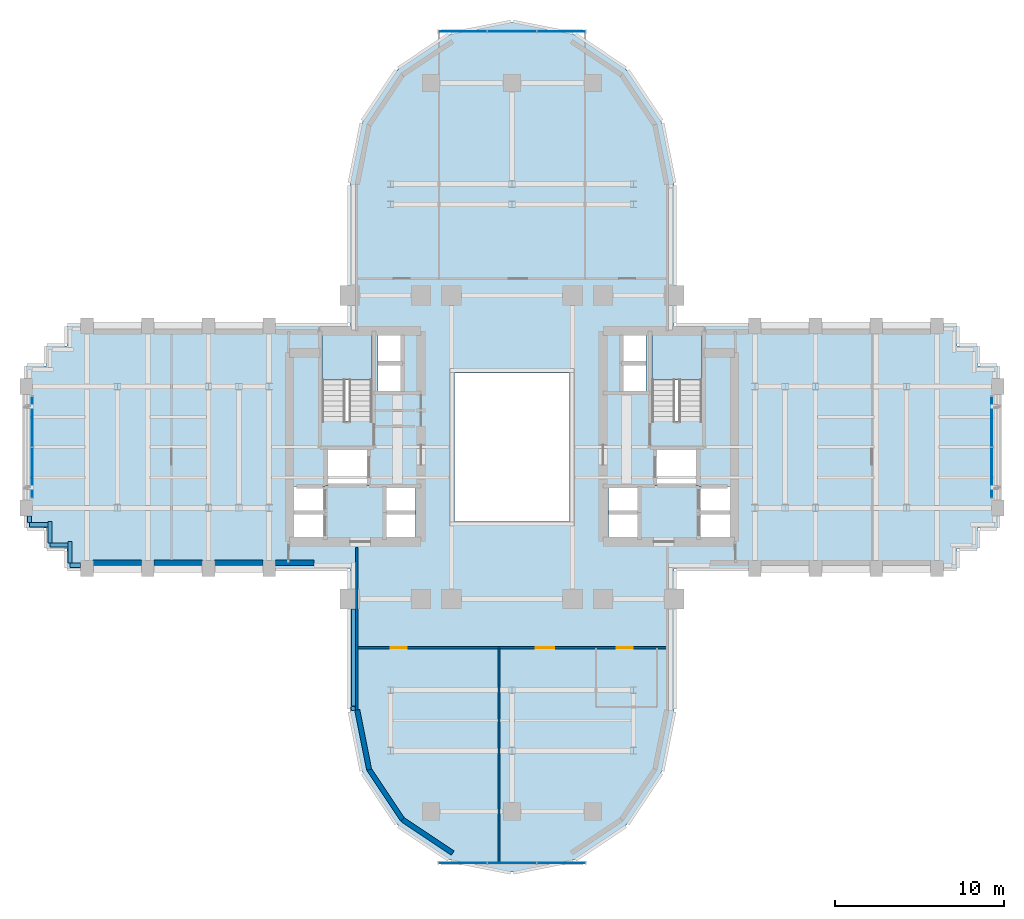
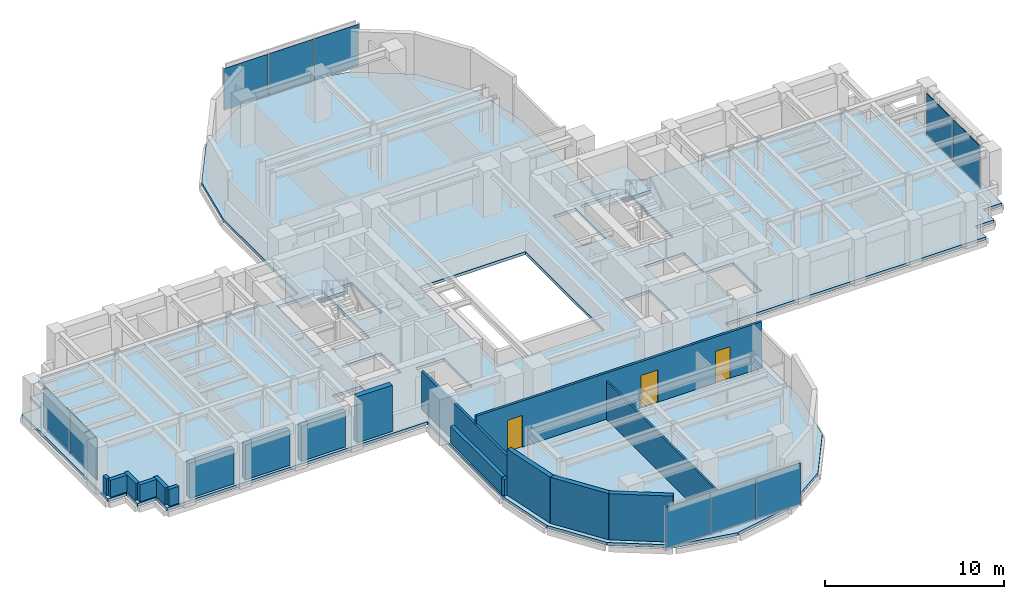
# One storey, part 9 of 16: 18 walls, 10 plates, 3 doors, 3 slabs, 3 openings, 6 elements without a shape of their own.
"""IFC4 building model written with IfcOpenShell, lengths in metres."""

from ifc_helpers import new_model, si_unit, direction, frame, frame_2d, origin, origin_2d, place, context, subcontext, project, spatial, polyline, rectangle, outline, extrude, source, transform, mapped, material, layer, layer_set, type_object, element, fill, aggregate, save


model = new_model("IFC4")

# Units and contexts
model_context = context("Model", 3, precision=1e-05, world=origin(), true_north=direction((0.0, 1.0)))
body_context = subcontext(model_context, "Body", "Model", "MODEL_VIEW")
ifc_project = project(units=[si_unit("LENGTHUNIT", "METRE"), si_unit("AREAUNIT", "SQUARE_METRE"), si_unit("VOLUMEUNIT", "CUBIC_METRE"), si_unit("PLANEANGLEUNIT", "RADIAN"), si_unit("MASSUNIT", "GRAM", prefix="KILO")], contexts=[model_context])

# Site, building, storey
site_placement = place(None, origin())
site = spatial("IfcSite", under=ifc_project, at=site_placement, CompositionType="ELEMENT")
building_placement = place(site_placement, origin())
building = spatial("IfcBuilding", under=site, at=building_placement, Name="Keilestroom Media Tower", CompositionType="ELEMENT")
storey_placement = place(building_placement, frame((0.0, 0.0, 85.0)))
storey = spatial("IfcBuildingStorey", under=building, at=storey_placement, Name="L22", CompositionType="ELEMENT", Elevation=85.0)

# Slab
ifc_material_1 = material(Name="Concrete C50/60", Category="concrete")
ifc_layer_1 = layer(ifc_material_1, 0.199951171875)
ifc_layer_set_1 = layer_set([ifc_layer_1], Name="Concrete C50/60")
slab_type_1 = type_object("IfcSlabType", Name="Composite-Floor-Slab-200", PredefinedType="FLOOR", material=ifc_layer_set_1)
slab_1_placement = place(storey_placement, frame((0.0, 0.0, -0.199951171875)))
element("IfcSlab", 1, at=slab_1_placement, inside=storey, type_object=slab_type_1, Name="L22 Structural Composite Floor Slab", PredefinedType="FLOOR", context=body_context, shape_type="SweptSolid", body=[
    extrude(outline(polyline([(28.800048828125, -4.800048828125), (28.800048828125, 4.800048828125), (27.60009765625, 4.800048828125), (27.60009765625, 6.0), (26.39990234375, 6.0), (26.39990234375, 7.199951171875), (9.60009765625, 7.199951171875), (9.60009765625, 9.60009765625), (9.60009765625, 15.60009765625), (8.869140625, 19.273681640625), (6.7880859375, 22.38818359375), (3.673828125, 24.46923828125), (0.0, 25.199951171875), (-3.673828125, 24.46923828125), (-6.7880859375, 22.38818359375), (-8.869140625, 19.273681640625), (-9.60009765625, 15.60009765625), (-9.60009765625, 9.60009765625), (-9.60009765625, 7.199951171875), (-26.39990234375, 7.199951171875), (-26.39990234375, 6.0), (-27.60009765625, 6.0), (-27.60009765625, 4.800048828125), (-28.800048828125, 4.800048828125), (-28.800048828125, -4.800048828125), (-27.60009765625, -4.800048828125), (-27.60009765625, -6.0), (-26.39990234375, -6.0), (-26.39990234375, -7.199951171875), (-9.60009765625, -7.199951171875), (-9.60009765625, -9.60009765625), (-9.60009765625, -15.60009765625), (-8.869140625, -19.273681640625), (-6.7880859375, -22.38818359375), (-3.673828125, -24.46923828125), (0.0, -25.199951171875), (3.673828125, -24.46923828125), (6.7880859375, -22.38818359375), (8.869140625, -19.273681640625), (9.60009765625, -15.60009765625), (9.60009765625, -9.60009765625), (9.60009765625, -7.199951171875), (26.39990234375, -7.199951171875), (26.39990234375, -6.0), (27.60009765625, -6.0), (27.60009765625, -4.800048828125), (28.800048828125, -4.800048828125)]), holes=[polyline([(-12.919921875, -5.47998046875), (-12.919921875, -2.320068359375), (-11.080078125, -2.320068359375), (-11.080078125, -5.47998046875), (-12.919921875, -5.47998046875)]), polyline([(-11.260009765625, 1.544921875), (-11.260009765625, 6.760009765625), (-8.300048828125, 6.760009765625), (-8.300048828125, 1.544921875), (-11.260009765625, 1.544921875)]), polyline([(-11.050048828125, -2.280029296875), (-11.050048828125, -0.10009765625), (-8.47998046875, -0.10009765625), (-8.47998046875, -2.280029296875), (-11.050048828125, -2.280029296875)]), polyline([(-7.949951171875, 3.300048828125), (-7.949951171875, 6.64990234375), (-6.47998046875, 6.64990234375), (-6.47998046875, 3.300048828125), (-7.949951171875, 3.300048828125)]), polyline([(-7.56005859375, -5.47998046875), (-7.56005859375, -2.320068359375), (-5.719970703125, -2.320068359375), (-5.719970703125, -5.47998046875), (-7.56005859375, -5.47998046875)]), polyline([(-3.39990234375, -4.39990234375), (-3.39990234375, 4.39990234375), (3.39990234375, 4.39990234375), (3.39990234375, -4.39990234375), (-3.39990234375, -4.39990234375)]), polyline([(5.719970703125, -5.47998046875), (5.719970703125, -2.320068359375), (7.56005859375, -2.320068359375), (7.56005859375, -5.47998046875), (5.719970703125, -5.47998046875)]), polyline([(7.949951171875, 6.64990234375), (7.949951171875, 3.300048828125), (6.47998046875, 3.300048828125), (6.47998046875, 6.64990234375), (7.949951171875, 6.64990234375)]), polyline([(8.300048828125, 6.760009765625), (11.260009765625, 6.760009765625), (11.260009765625, 1.544921875), (8.300048828125, 1.544921875), (8.300048828125, 6.760009765625)]), polyline([(8.47998046875, -2.280029296875), (8.47998046875, -0.10009765625), (11.050048828125, -0.10009765625), (11.050048828125, -2.280029296875), (8.47998046875, -2.280029296875)]), polyline([(12.919921875, -5.47998046875), (11.080078125, -5.47998046875), (11.080078125, -2.320068359375), (12.919921875, -2.320068359375), (12.919921875, -5.47998046875)])]), origin(), (0.0, 0.0, 1.0), 0.199951171875),
])

# Stair, slab
ifc_material_2 = material(Name="Concrete C45/55", Category="concrete")
stair_type = type_object("IfcStairType", Name="Enclosed-Dog-Leg-Stair-ST-CORE", PredefinedType="HALF_TURN_STAIR", material=ifc_material_2)
stair_1_placement = place(storey_placement, origin())
stair_1 = element("IfcStair", 2, at=stair_1_placement, inside=storey, type_object=stair_type, Name="L22 West Core Escape Stair ST-1", PredefinedType="HALF_TURN_STAIR")
ifc_layer_2 = layer(ifc_material_2, 0.199951171875)
ifc_layer_set_2 = layer_set([ifc_layer_2], Name="Concrete C45/55")
slab_type_2 = type_object("IfcSlabType", Name="Stair-Intermediate-And-Top-Landing-Slab-200", PredefinedType="LANDING", material=ifc_layer_set_2)
slab_2_placement = place(storey_placement, frame((0.0, 0.0, 1.5)))
slab_2 = element("IfcSlab", 3, at=slab_2_placement, type_object=slab_type_2, Name="ST-1 landing 1", PredefinedType="LANDING", context=body_context, shape_type="SweptSolid", body=[
    extrude(outline(polyline([(-8.300048828125, 3.99609375), (-8.300048828125, 6.760009765625), (-11.260009765625, 6.760009765625), (-11.260009765625, 3.99609375), (-8.300048828125, 3.99609375)])), origin(), (0.0, 0.0, 1.0), 0.199951171875),
])
aggregate(stair_1, [slab_2])

stair_2_placement = place(storey_placement, origin())
stair_2 = element("IfcStair", 4, at=stair_2_placement, inside=storey, type_object=stair_type, Name="L22 East Core Escape Stair ST-2", PredefinedType="HALF_TURN_STAIR")
slab_3_placement = place(storey_placement, frame((0.0, 0.0, 1.5)))
slab_3 = element("IfcSlab", 5, at=slab_3_placement, type_object=slab_type_2, Name="ST-2 landing 1", PredefinedType="LANDING", context=body_context, shape_type="SweptSolid", body=[
    extrude(outline(polyline([(11.260009765625, 3.99609375), (11.260009765625, 6.760009765625), (8.300048828125, 6.760009765625), (8.300048828125, 3.99609375), (11.260009765625, 3.99609375)])), origin(), (0.0, 0.0, 1.0), 0.199951171875),
])
aggregate(stair_2, [slab_3])

# Curtain wall, plates
ifc_material_3 = material(Name="Anodised Aluminium Alloy", Category="aluminium")
curtain_wall_type_1 = type_object("IfcCurtainWallType", Name="Unitised-Curtain-Wall-CW-1", PredefinedType="NOTDEFINED", material=ifc_material_3)
curtain_wall_1_placement = place(storey_placement, origin())
curtain_wall_1 = element("IfcCurtainWall", 6, at=curtain_wall_1_placement, inside=storey, type_object=curtain_wall_type_1, Name="L22 Curtain Wall CW-1 CW-L22-W-1", PredefinedType="NOTDEFINED")
ifc_material_4 = material(Name="Double Glazed Low-E Unit", Category="glass")
ifc_layer_3 = layer(ifc_material_4, 0.0439453125)
ifc_layer_set_3 = layer_set([ifc_layer_3], Name="Double Glazed Low-E Unit")
plate_type_1 = type_object("IfcPlateType", Name="Insulated-Curtain-Wall-Glazing-Panel-CW-1", PredefinedType="CURTAIN_PANEL", material=ifc_layer_set_3)
shared_shape_1 = source(origin(), body_context, "Body", "SweptSolid", [
    extrude(rectangle(XDim=2.968017578125, YDim=0.0439453125, at=origin_2d()), origin(), (0.0, 0.0, 1.0), 2.833984375),
])
plate_1_placement = place(storey_placement, frame((-28.449951171875, -1.514892578125, 0.072998046875), z_axis=(0.0, 0.0, 1.0), x_axis=(0.0, 1.0, 0.0)))
plate_1 = element("IfcPlate", 7, at=plate_1_placement, type_object=plate_type_1, Name="CW-1 Unitised Glazing 00", PredefinedType="CURTAIN_PANEL", context=body_context, shape_type="MappedRepresentation", body=[
    mapped(shared_shape_1, transform((0.0, 0.0, 0.0), x_axis=(1.0, 0.0, 0.0), y_axis=(0.0, 1.0, 0.0), z_axis=(0.0, 0.0, 1.0), scale=1.0)),
])
plate_2_placement = place(storey_placement, frame((-28.449951171875, 1.514892578125, 0.072998046875), z_axis=(0.0, 0.0, 1.0), x_axis=(0.0, 1.0, 0.0)))
plate_2 = element("IfcPlate", 8, at=plate_2_placement, type_object=plate_type_1, Name="CW-1 Unitised Glazing 01", PredefinedType="CURTAIN_PANEL", context=body_context, shape_type="MappedRepresentation", body=[
    mapped(shared_shape_1, transform((0.0, 0.0, 0.0), x_axis=(1.0, 0.0, 0.0), y_axis=(0.0, 1.0, 0.0), z_axis=(0.0, 0.0, 1.0), scale=1.0)),
])
aggregate(curtain_wall_1, [plate_1, plate_2])

curtain_wall_2_placement = place(storey_placement, origin())
curtain_wall_2 = element("IfcCurtainWall", 9, at=curtain_wall_2_placement, inside=storey, type_object=curtain_wall_type_1, Name="L22 Curtain Wall CW-1 CW-L22-E-1", PredefinedType="NOTDEFINED")
plate_3_placement = place(storey_placement, frame((28.449951171875, -1.514892578125, 0.072998046875), z_axis=(0.0, 0.0, 1.0), x_axis=(0.0, 1.0, 0.0)))
plate_3 = element("IfcPlate", 10, at=plate_3_placement, type_object=plate_type_1, Name="CW-1 Unitised Glazing 00", PredefinedType="CURTAIN_PANEL", context=body_context, shape_type="MappedRepresentation", body=[
    mapped(shared_shape_1, transform((0.0, 0.0, 0.0), x_axis=(1.0, 0.0, 0.0), y_axis=(0.0, 1.0, 0.0), z_axis=(0.0, 0.0, 1.0), scale=1.0)),
])
plate_4_placement = place(storey_placement, frame((28.449951171875, 1.514892578125, 0.072998046875), z_axis=(0.0, 0.0, 1.0), x_axis=(0.0, 1.0, 0.0)))
plate_4 = element("IfcPlate", 11, at=plate_4_placement, type_object=plate_type_1, Name="CW-1 Unitised Glazing 01", PredefinedType="CURTAIN_PANEL", context=body_context, shape_type="MappedRepresentation", body=[
    mapped(shared_shape_1, transform((0.0, 0.0, 0.0), x_axis=(1.0, 0.0, 0.0), y_axis=(0.0, 1.0, 0.0), z_axis=(0.0, 0.0, 1.0), scale=1.0)),
])
aggregate(curtain_wall_2, [plate_3, plate_4])

curtain_wall_type_2 = type_object("IfcCurtainWallType", Name="Unitised-Curtain-Wall-CW-6", PredefinedType="NOTDEFINED", material=ifc_material_3)
curtain_wall_3_placement = place(storey_placement, origin())
curtain_wall_3 = element("IfcCurtainWall", 12, at=curtain_wall_3_placement, inside=storey, type_object=curtain_wall_type_2, Name="L22 Curtain Wall CW-6 CW-L22-LN-1", PredefinedType="NOTDEFINED")
ifc_material_5 = material(Name="Curved-Facet Triple Glazed Unit", Category="glass")
ifc_layer_4 = layer(ifc_material_5, 0.033935546875)
ifc_layer_set_4 = layer_set([ifc_layer_4], Name="Curved-Facet Triple Glazed Unit")
plate_type_2 = type_object("IfcPlateType", Name="Insulated-Curtain-Wall-Glazing-Panel-CW-6", PredefinedType="CURTAIN_PANEL", material=ifc_layer_set_4)
shared_shape_2 = source(origin(), body_context, "Body", "SweptSolid", [
    extrude(rectangle(XDim=2.84375, YDim=0.033935546875, at=origin_2d()), origin(), (0.0, 0.0, 1.0), 2.833984375),
])
plate_5_placement = place(storey_placement, frame((-2.9169921875, 24.64990234375, 0.072998046875), z_axis=(0.0, 0.0, 1.0), x_axis=(1.0, 0.0, 0.0)))
plate_5 = element("IfcPlate", 13, at=plate_5_placement, type_object=plate_type_2, Name="CW-6 Unitised Glazing 00", PredefinedType="CURTAIN_PANEL", context=body_context, shape_type="MappedRepresentation", body=[
    mapped(shared_shape_2, transform((0.0, 0.0, 0.0), x_axis=(1.0, 0.0, 0.0), y_axis=(0.0, 1.0, 0.0), z_axis=(0.0, 0.0, 1.0), scale=1.0)),
])
plate_6_placement = place(storey_placement, frame((2.9169921875, 24.64990234375, 0.072998046875), z_axis=(0.0, 0.0, 1.0), x_axis=(1.0, 0.0, 0.0)))
plate_6 = element("IfcPlate", 14, at=plate_6_placement, type_object=plate_type_2, Name="CW-6 Unitised Glazing 02", PredefinedType="CURTAIN_PANEL", context=body_context, shape_type="MappedRepresentation", body=[
    mapped(shared_shape_2, transform((0.0, 0.0, 0.0), x_axis=(1.0, 0.0, 0.0), y_axis=(0.0, 1.0, 0.0), z_axis=(0.0, 0.0, 1.0), scale=1.0)),
])

curtain_wall_4_placement = place(storey_placement, origin())
curtain_wall_4 = element("IfcCurtainWall", 15, at=curtain_wall_4_placement, inside=storey, type_object=curtain_wall_type_2, Name="L22 Curtain Wall CW-6 CW-L22-LS-1", PredefinedType="NOTDEFINED")
plate_7_placement = place(storey_placement, frame((-2.9169921875, -24.64990234375, 0.072998046875), z_axis=(0.0, 0.0, 1.0), x_axis=(1.0, 0.0, 0.0)))
plate_7 = element("IfcPlate", 16, at=plate_7_placement, type_object=plate_type_2, Name="CW-6 Unitised Glazing 00", PredefinedType="CURTAIN_PANEL", context=body_context, shape_type="MappedRepresentation", body=[
    mapped(shared_shape_2, transform((0.0, 0.0, 0.0), x_axis=(1.0, 0.0, 0.0), y_axis=(0.0, 1.0, 0.0), z_axis=(0.0, 0.0, 1.0), scale=1.0)),
])
plate_8_placement = place(storey_placement, frame((2.9169921875, -24.64990234375, 0.072998046875), z_axis=(0.0, 0.0, 1.0), x_axis=(1.0, 0.0, 0.0)))
plate_8 = element("IfcPlate", 17, at=plate_8_placement, type_object=plate_type_2, Name="CW-6 Unitised Glazing 02", PredefinedType="CURTAIN_PANEL", context=body_context, shape_type="MappedRepresentation", body=[
    mapped(shared_shape_2, transform((0.0, 0.0, 0.0), x_axis=(1.0, 0.0, 0.0), y_axis=(0.0, 1.0, 0.0), z_axis=(0.0, 0.0, 1.0), scale=1.0)),
])

# Plate
shared_shape_3 = source(origin(), body_context, "Body", "SweptSolid", [
    extrude(rectangle(XDim=2.876220703125, YDim=0.033935546875, at=origin_2d()), origin(), (0.0, 0.0, 1.0), 2.833984375),
])
plate_9_placement = place(storey_placement, frame((0.0, 24.64990234375, 0.072998046875), z_axis=(0.0, 0.0, 1.0), x_axis=(1.0, 0.0, 0.0)))
plate_9 = element("IfcPlate", 18, at=plate_9_placement, type_object=plate_type_2, Name="CW-6 Unitised Glazing 01", PredefinedType="CURTAIN_PANEL", context=body_context, shape_type="MappedRepresentation", body=[
    mapped(shared_shape_3, transform((0.0, 0.0, 0.0), x_axis=(1.0, 0.0, 0.0), y_axis=(0.0, 1.0, 0.0), z_axis=(0.0, 0.0, 1.0), scale=1.0)),
])

aggregate(curtain_wall_3, [plate_5, plate_9, plate_6])

plate_10_placement = place(storey_placement, frame((0.0, -24.64990234375, 0.072998046875), z_axis=(0.0, 0.0, 1.0), x_axis=(1.0, 0.0, 0.0)))
plate_10 = element("IfcPlate", 19, at=plate_10_placement, type_object=plate_type_2, Name="CW-6 Unitised Glazing 01", PredefinedType="CURTAIN_PANEL", context=body_context, shape_type="MappedRepresentation", body=[
    mapped(shared_shape_3, transform((0.0, 0.0, 0.0), x_axis=(1.0, 0.0, 0.0), y_axis=(0.0, 1.0, 0.0), z_axis=(0.0, 0.0, 1.0), scale=1.0)),
])

aggregate(curtain_wall_4, [plate_7, plate_10, plate_8])

# Walls
ifc_material_6 = material(Name="Precast concrete C40/50", Category="concrete")
ifc_layer_5 = layer(ifc_material_6, 0.300048828125)
ifc_layer_set_5 = layer_set([ifc_layer_5], Name="Precast concrete C40/50")
wall_type_1 = type_object("IfcWallType", Name="Exterior-Masonry-Spandrel-Wall-300", PredefinedType="SOLIDWALL", material=ifc_layer_set_5)
for number, where, z_axis, x_axis, name in (
    (20, (-9.1748046875, -15.585205078125, 0.0), (0.0, 0.0, 1.0), (0.195114232679, -0.980780523974, 0.0), "L22 Lobe Facet Precast Frame Wall 07"),
    (21, (-8.48193359375, -19.097412109375, 0.0), (0.0, 0.0, 1.0), (0.555574187116, -0.831466970246, 0.0), "L22 Lobe Facet Precast Frame Wall 08"),
):
    element("IfcWall", number, at=place(storey_placement, frame(where, z_axis=z_axis, x_axis=x_axis)), inside=storey, type_object=wall_type_1, Name=name, PredefinedType="SOLIDWALL", context=body_context, shape_type="SweptSolid", body=[
        extrude(rectangle(XDim=3.608642578125, YDim=0.300048828125, at=frame_2d((1.80419921875, 0.0))), origin(), (0.0, 0.0, 1.0), 3.139892578125),
    ])
wall_1_placement = place(storey_placement, frame((-6.497802734375, -22.0771484375, 0.0), z_axis=(0.0, 0.0, 1.0), x_axis=(0.8314749531, -0.555562239868, 0.0)))
element("IfcWall", 22, at=wall_1_placement, inside=storey, type_object=wall_type_1, Name="L22 Lobe Facet Precast Frame Wall 09", PredefinedType="SOLIDWALL", context=body_context, shape_type="SweptSolid", body=[
    extrude(rectangle(XDim=3.59326171875, YDim=0.300048828125, at=frame_2d((1.796630859375, 0.0))), origin(), (0.0, 0.0, 1.0), 3.139892578125),
])
ifc_layer_6 = layer(ifc_material_6, 0.340087890625)
ifc_layer_set_6 = layer_set([ifc_layer_6], Name="Precast concrete C40/50")
wall_type_2 = type_object("IfcWallType", Name="Exterior-Masonry-Spandrel-Wall-340", PredefinedType="SOLIDWALL", material=ifc_layer_set_6)
for number, where, z_axis, x_axis, name in (
    (23, (-24.8330078125, -6.85009765625, 0.0), (0.0, 0.0, 1.0), (1.0, 0.0, 0.0), "L22 Flank Masonry Wall EWL-L22-SW-1"),
    (24, (-21.23291015625, -6.85009765625, 0.0), (0.0, 0.0, 1.0), (1.0, 0.0, 0.0), "L22 Flank Masonry Wall EWL-L22-SW-2"),
    (25, (-17.633056640625, -6.85009765625, 0.0), (0.0, 0.0, 1.0), (1.0, 0.0, 0.0), "L22 Flank Masonry Wall EWL-L22-SW-3"),
):
    element("IfcWall", number, at=place(storey_placement, frame(where, z_axis=z_axis, x_axis=x_axis)), inside=storey, type_object=wall_type_2, Name=name, PredefinedType="SOLIDWALL", context=body_context, shape_type="SweptSolid", body=[
        extrude(rectangle(XDim=2.865966796875, YDim=0.340087890625, at=frame_2d((1.43310546875, 0.0))), origin(), (0.0, 0.0, 1.0), 2.389892578125),
    ])
wall_2_placement = place(storey_placement, frame((-14.032958984375, -6.85009765625, 0.0), z_axis=(0.0, 0.0, 1.0), x_axis=(1.0, 0.0, 0.0)))
element("IfcWall", 26, at=wall_2_placement, inside=storey, type_object=wall_type_2, Name="L22 Flank Masonry Wall EWL-L22-SW-4", PredefinedType="SOLIDWALL", context=body_context, shape_type="SweptSolid", body=[
    extrude(rectangle(XDim=2.282958984375, YDim=0.340087890625, at=frame_2d((1.1416015625, 0.0))), origin(), (0.0, 0.0, 1.0), 3.139892578125),
])
ifc_material_7 = material(Name="Gypsum Plasterboard & Steel Stud", Category="steel")
ifc_layer_7 = layer(ifc_material_7, 0.1201171875)
ifc_layer_set_7 = layer_set([ifc_layer_7], Name="Gypsum Plasterboard & Steel Stud")
wall_type_3 = type_object("IfcWallType", Name="Interior-Partition-Wall-120", PredefinedType="PARTITIONING", material=ifc_layer_set_7)
wall_3_placement = place(storey_placement, frame((-0.780029296875, -24.64990234375, 0.0), z_axis=(0.0, 0.0, 1.0), x_axis=(0.0, 1.0, 0.0)))
element("IfcWall", 27, at=wall_3_placement, inside=storey, type_object=wall_type_3, Name="L22 Interior Wall WP-L22-SL-VS", PredefinedType="PARTITIONING", context=body_context, shape_type="SweptSolid", body=[
    extrude(rectangle(XDim=12.75, YDim=0.1201171875, at=frame_2d((6.375, 0.0))), origin(), (0.0, 0.0, 1.0), 2.590087890625),
])

# Wall, openings, doors
ifc_layer_8 = layer(ifc_material_7, 0.14990234375)
ifc_layer_set_8 = layer_set([ifc_layer_8], Name="Gypsum Plasterboard & Steel Stud")
wall_type_4 = type_object("IfcWallType", Name="Interior-Partition-Wall-150", PredefinedType="PARTITIONING", material=ifc_layer_set_8)
wall_4_placement = place(storey_placement, frame((-9.199951171875, -11.89990234375, 0.0), z_axis=(0.0, 0.0, 1.0), x_axis=(1.0, 0.0, 0.0)))
wall_4 = element("IfcWall", 28, at=wall_4_placement, inside=storey, type_object=wall_type_4, Name="L22 Interior Wall WP-L22-SL-BASE", PredefinedType="PARTITIONING", context=body_context, shape_type="SweptSolid", body=[
    extrude(rectangle(XDim=18.39990234375, YDim=0.14990234375, at=frame_2d((9.199951171875, 0.0))), origin(), (0.0, 0.0, 1.0), 3.139892578125),
])
opening_1_placement = place(wall_4_placement, frame((15.39990234375, 0.0, 0.0)))
opening_1 = element("IfcOpeningElement", 29, at=opening_1_placement, cuts=wall_4, Name="Opening DI-03", PredefinedType="OPENING", context=body_context, shape_type="SweptSolid", body=[
    extrude(rectangle(XDim=0.949951171875, YDim=2.14990234375, at=frame_2d((0.47509765625, 1.074951171875))), frame((0.0, 0.0849609375, 0.0), z_axis=(0.0, -1.0, 0.0), x_axis=(1.0, 0.0, 0.0)), (0.0, 0.0, 1.0), 0.169921875),
])
opening_2_placement = place(wall_4_placement, frame((2.0, 0.0, 0.0)))
opening_2 = element("IfcOpeningElement", 30, at=opening_2_placement, cuts=wall_4, Name="Opening DI-03", PredefinedType="OPENING", context=body_context, shape_type="SweptSolid", body=[
    extrude(rectangle(XDim=0.949951171875, YDim=2.14990234375, at=frame_2d((0.47509765625, 1.074951171875))), frame((0.0, 0.0849609375, 0.0), z_axis=(0.0, -1.0, 0.0), x_axis=(1.0, 0.0, 0.0)), (0.0, 0.0, 1.0), 0.169921875),
])
opening_3_placement = place(wall_4_placement, frame((10.60009765625, 0.0, 0.0)))
opening_3 = element("IfcOpeningElement", 31, at=opening_3_placement, cuts=wall_4, Name="Opening DI-04", PredefinedType="OPENING", context=body_context, shape_type="SweptSolid", body=[
    extrude(rectangle(XDim=1.10009765625, YDim=2.199951171875, at=frame_2d((0.550048828125, 1.10009765625))), frame((0.0, 0.0849609375, 0.0), z_axis=(0.0, -1.0, 0.0), x_axis=(1.0, 0.0, 0.0)), (0.0, 0.0, 1.0), 0.169921875),
])
ifc_material_8 = material(Name="Lacquered European Oak Leaf", Category="wood")
door_type_1 = type_object("IfcDoorType", Name="Interior-Room-And-Suite-Door-DI-03", OperationType="NOTDEFINED", PredefinedType="DOOR", material=ifc_material_8)
shared_shape_4 = source(origin(), body_context, "Body", "SweptSolid", [
    extrude(rectangle(XDim=0.949951171875, YDim=2.14990234375, at=frame_2d((0.47509765625, 1.074951171875))), frame((0.0, 0.02490234375, 0.0), z_axis=(0.0, -1.0, 0.0), x_axis=(1.0, 0.0, 0.0)), (0.0, 0.0, 1.0), 0.050048828125),
])
door_1_placement = place(opening_1_placement, origin())
door_1 = element("IfcDoor", 32, at=door_1_placement, inside=storey, type_object=door_type_1, Name="L22 Interior Door DI-L22-DSL-WC1", OperationType="SINGLE_SWING_LEFT", OverallHeight=2.14990234375, OverallWidth=0.949951171875, PredefinedType="DOOR", context=body_context, shape_type="MappedRepresentation", body=[
    mapped(shared_shape_4, transform((0.0, 0.0, 0.0), x_axis=(1.0, 0.0, 0.0), y_axis=(0.0, 1.0, 0.0), z_axis=(0.0, 0.0, 1.0), scale=1.0)),
])
fill(opening_1, door_1)
door_2_placement = place(opening_2_placement, origin())
door_2 = element("IfcDoor", 33, at=door_2_placement, inside=storey, type_object=door_type_1, Name="L22 Interior Door DI-L22-DSL-W", OperationType="SINGLE_SWING_RIGHT", OverallHeight=2.14990234375, OverallWidth=0.949951171875, PredefinedType="DOOR", context=body_context, shape_type="MappedRepresentation", body=[
    mapped(shared_shape_4, transform((0.0, 0.0, 0.0), x_axis=(1.0, 0.0, 0.0), y_axis=(0.0, 1.0, 0.0), z_axis=(0.0, 0.0, 1.0), scale=1.0)),
])
fill(opening_2, door_2)
ifc_material_9 = material(Name="Acoustic Glazed Aluminium Leaf", Category="aluminium")
door_type_2 = type_object("IfcDoorType", Name="Interior-Room-And-Suite-Door-DI-04", OperationType="NOTDEFINED", PredefinedType="DOOR", material=ifc_material_9)
shared_shape_5 = source(origin(), body_context, "Body", "SweptSolid", [
    extrude(rectangle(XDim=1.10009765625, YDim=2.199951171875, at=frame_2d((0.550048828125, 1.10009765625))), frame((0.0, 0.02490234375, 0.0), z_axis=(0.0, -1.0, 0.0), x_axis=(1.0, 0.0, 0.0)), (0.0, 0.0, 1.0), 0.050048828125),
])
door_3_placement = place(opening_3_placement, origin())
door_3 = element("IfcDoor", 34, at=door_3_placement, inside=storey, type_object=door_type_2, Name="L22 Interior Door DI-L22-DSL-E", OperationType="SINGLE_SWING_LEFT", OverallHeight=2.199951171875, OverallWidth=1.10009765625, PredefinedType="DOOR", context=body_context, shape_type="MappedRepresentation", body=[
    mapped(shared_shape_5, transform((0.0, 0.0, 0.0), x_axis=(1.0, 0.0, 0.0), y_axis=(0.0, 1.0, 0.0), z_axis=(0.0, 0.0, 1.0), scale=1.0)),
])
fill(opening_3, door_3)

# Walls
wall_5_placement = place(storey_placement, frame((-9.199951171875, -15.679931640625, 0.0), z_axis=(0.0, 0.0, 1.0), x_axis=(0.0, 1.0, 0.0)))
element("IfcWall", 35, at=wall_5_placement, inside=storey, type_object=wall_type_4, Name="L22 Interior Wall WP-L22-SL-CHKW", PredefinedType="PARTITIONING", context=body_context, shape_type="SweptSolid", body=[
    extrude(rectangle(XDim=9.739990234375, YDim=0.14990234375, at=frame_2d((4.8701171875, 0.0))), origin(), (0.0, 0.0, 1.0), 2.590087890625),
])
ifc_layer_9 = layer(ifc_material_6, 0.239990234375)
ifc_layer_set_9 = layer_set([ifc_layer_9], Name="Precast concrete C40/50")
wall_type_5 = type_object("IfcWallType", Name="Roof-And-Terrace-Parapet-Wall-240", PredefinedType="PARAPET", material=ifc_layer_set_9)
wall_6_placement = place(storey_placement, frame((-9.395263671875, -15.604248046875, 0.0), z_axis=(0.0, 0.0, 1.0), x_axis=(-0.194652052864, 0.980872355771, 0.0)))
element("IfcWall", 36, at=wall_6_placement, inside=storey, type_object=wall_type_5, Name="L22 Perimeter Edge Parapet Wall 09", PredefinedType="PARAPET", context=body_context, shape_type="SweptSolid", body=[
    extrude(rectangle(XDim=0.224609375, YDim=0.239990234375, at=frame_2d((0.1123046875, 0.0))), origin(), (0.0, 0.0, 1.0), 1.14990234375),
])
wall_7_placement = place(storey_placement, frame((-9.39990234375, -15.357666015625, 0.0), z_axis=(0.0, 0.0, 1.0), x_axis=(0.0, 1.0, 0.0)))
element("IfcWall", 37, at=wall_7_placement, inside=storey, type_object=wall_type_5, Name="L22 Perimeter Edge Parapet Wall 10", PredefinedType="PARAPET", context=body_context, shape_type="SweptSolid", body=[
    extrude(rectangle(XDim=5.754638671875, YDim=0.239990234375, at=frame_2d((2.87744140625, 0.0))), origin(), (0.0, 0.0, 1.0), 1.14990234375),
])
wall_8_placement = place(storey_placement, frame((-25.577880859375, -7.0, 0.0), z_axis=(0.0, 0.0, 1.0), x_axis=(-1.0, 0.0, 0.0)))
element("IfcWall", 38, at=wall_8_placement, inside=storey, type_object=wall_type_5, Name="L22 Perimeter Edge Parapet Wall 13", PredefinedType="PARAPET", context=body_context, shape_type="SweptSolid", body=[
    extrude(rectangle(XDim=0.6220703125, YDim=0.239990234375, at=frame_2d((0.31103515625, 0.0))), origin(), (0.0, 0.0, 1.0), 1.14990234375),
])
wall_9_placement = place(storey_placement, frame((-26.199951171875, -6.876953125, 0.0), z_axis=(0.0, 0.0, 1.0), x_axis=(0.0, 1.0, 0.0)))
element("IfcWall", 39, at=wall_9_placement, inside=storey, type_object=wall_type_5, Name="L22 Perimeter Edge Parapet Wall 14", PredefinedType="PARAPET", context=body_context, shape_type="SweptSolid", body=[
    extrude(rectangle(XDim=1.27685546875, YDim=0.239990234375, at=frame_2d((0.638427734375, 0.0))), origin(), (0.0, 0.0, 1.0), 1.14990234375),
])
wall_10_placement = place(storey_placement, frame((-26.322998046875, -5.800048828125, 0.0), z_axis=(0.0, 0.0, 1.0), x_axis=(-1.0, 0.0, 0.0)))
element("IfcWall", 40, at=wall_10_placement, inside=storey, type_object=wall_type_5, Name="L22 Perimeter Edge Parapet Wall 15", PredefinedType="PARAPET", context=body_context, shape_type="SweptSolid", body=[
    extrude(rectangle(XDim=1.076904296875, YDim=0.239990234375, at=frame_2d((0.53857421875, 0.0))), origin(), (0.0, 0.0, 1.0), 1.14990234375),
])
wall_11_placement = place(storey_placement, frame((-27.39990234375, -5.677001953125, 0.0), z_axis=(0.0, 0.0, 1.0), x_axis=(0.0, 1.0, 0.0)))
element("IfcWall", 41, at=wall_11_placement, inside=storey, type_object=wall_type_5, Name="L22 Perimeter Edge Parapet Wall 16", PredefinedType="PARAPET", context=body_context, shape_type="SweptSolid", body=[
    extrude(rectangle(XDim=1.277099609375, YDim=0.239990234375, at=frame_2d((0.638671875, 0.0))), origin(), (0.0, 0.0, 1.0), 1.14990234375),
])
wall_12_placement = place(storey_placement, frame((-27.52294921875, -4.60009765625, 0.0), z_axis=(0.0, 0.0, 1.0), x_axis=(-1.0, 0.0, 0.0)))
element("IfcWall", 42, at=wall_12_placement, inside=storey, type_object=wall_type_5, Name="L22 Perimeter Edge Parapet Wall 17", PredefinedType="PARAPET", context=body_context, shape_type="SweptSolid", body=[
    extrude(rectangle(XDim=1.0771484375, YDim=0.239990234375, at=frame_2d((0.53857421875, 0.0))), origin(), (0.0, 0.0, 1.0), 1.14990234375),
])
wall_13_placement = place(storey_placement, frame((-28.60009765625, -4.47705078125, 0.0), z_axis=(0.0, 0.0, 1.0), x_axis=(0.0, 1.0, 0.0)))
element("IfcWall", 43, at=wall_13_placement, inside=storey, type_object=wall_type_5, Name="L22 Perimeter Edge Parapet Wall 18", PredefinedType="PARAPET", context=body_context, shape_type="SweptSolid", body=[
    extrude(rectangle(XDim=0.399169921875, YDim=0.239990234375, at=frame_2d((0.19970703125, 0.0))), origin(), (0.0, 0.0, 1.0), 1.14990234375),
])

save(model, "model.ifc")
